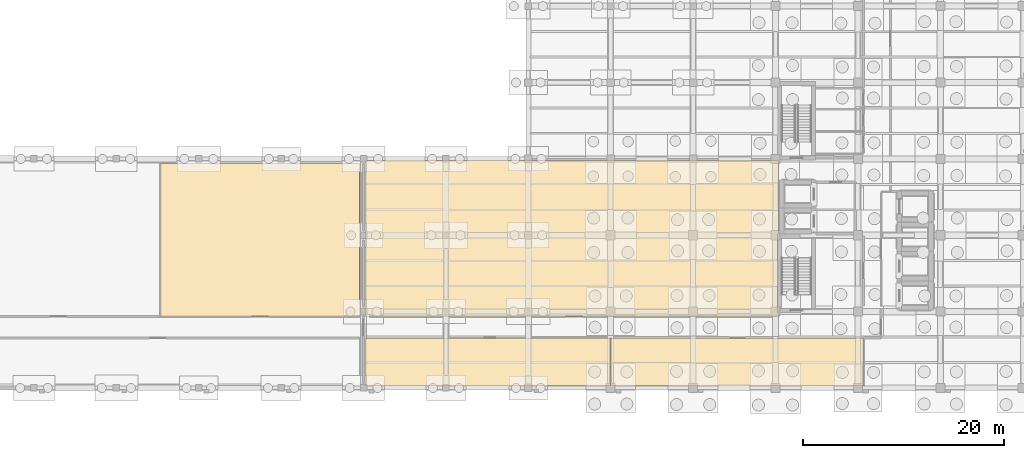
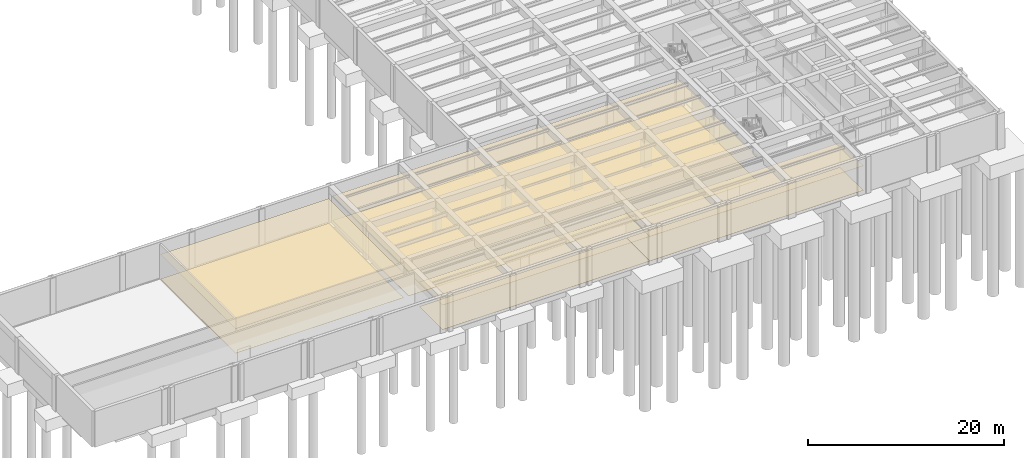
# One storey, part 25 of 29: 8 coverings.
"""IFC4 building model written with IfcOpenShell, lengths in metres."""

from ifc_helpers import new_model, si_unit, direction, frame, origin, place, context, subcontext, project, spatial, polyline, outline, extrude, material, layer, layer_set, type_object, element, save


model = new_model("IFC4")

# Units and contexts
model_context = context("Model", 3, precision=1e-05, world=origin(), true_north=direction((0.0, 1.0)))
body_context = subcontext(model_context, "Body", "Model", "MODEL_VIEW")
ifc_project = project(units=[si_unit("LENGTHUNIT", "METRE"), si_unit("AREAUNIT", "SQUARE_METRE"), si_unit("VOLUMEUNIT", "CUBIC_METRE"), si_unit("PLANEANGLEUNIT", "RADIAN"), si_unit("MASSUNIT", "GRAM", prefix="KILO")], contexts=[model_context])

# Site, building, storey
site_placement = place(None, origin())
site = spatial("IfcSite", under=ifc_project, at=site_placement, CompositionType="ELEMENT")
building_placement = place(site_placement, origin())
building = spatial("IfcBuilding", under=site, at=building_placement, Name="Qandaris Square Conservatory and Botanical Centre", CompositionType="ELEMENT")
storey_placement = place(building_placement, frame((0.0, 0.0, -4.800048828125)))
storey = spatial("IfcBuildingStorey", under=building, at=storey_placement, Name="B1", CompositionType="ELEMENT", Elevation=-4.800048828125)

# Coverings
ifc_material_1 = material(Name="Gypsum Plasterboard", Category="gypsum")
ifc_layer_1 = layer(ifc_material_1, 0.02490234375)
ifc_layer_set_1 = layer_set([ifc_layer_1], Name="Gypsum Plasterboard")
covering_type_1 = type_object("IfcCoveringType", Name="Perforated Acoustic Lab Ceiling Tile", PredefinedType="CEILING", material=ifc_layer_set_1)
covering_1_placement = place(storey_placement, frame((0.0, 0.0, 3.050048828125)))
element("IfcCovering", 1, at=covering_1_placement, inside=storey, type_object=covering_type_1, Name="Germplasm Cryopreservation Vault West Ceiling", PredefinedType="CEILING", context=body_context, shape_type="SweptSolid", body=[
    extrude(outline(polyline([(122.800048828125, 21.550048828125), (122.800048828125, 16.780029296875), (98.3798828125, 16.780029296875), (98.3798828125, 21.550048828125), (98.60009765625, 21.550048828125), (98.800048828125, 21.550048828125), (122.800048828125, 21.550048828125)])), origin(), (0.0, 0.0, 1.0), 0.02490234375),
])
covering_2_placement = place(storey_placement, frame((0.0, 0.0, 3.050048828125)))
element("IfcCovering", 2, at=covering_2_placement, inside=storey, type_object=covering_type_1, Name="Germplasm Cryopreservation Vault East Ceiling", PredefinedType="CEILING", context=body_context, shape_type="SweptSolid", body=[
    extrude(outline(polyline([(122.800048828125, 16.780029296875), (122.800048828125, 21.550048828125), (147.949951171875, 21.550048828125), (147.949951171875, 16.780029296875), (122.800048828125, 16.780029296875)])), origin(), (0.0, 0.0, 1.0), 0.02490234375),
])
covering_3_placement = place(storey_placement, frame((0.0, 0.0, 3.050048828125)))
element("IfcCovering", 3, at=covering_3_placement, inside=storey, type_object=covering_type_1, Name="Botanical Specimen Quarantine Vault Ceiling", PredefinedType="CEILING", context=body_context, shape_type="SweptSolid", body=[
    extrude(outline(polyline([(98.3798828125, 23.699951171875), (98.3798828125, 39.219970703125), (114.60009765625, 39.219970703125), (114.61767578125, 39.220947265625), (114.635009765625, 39.223388671875), (114.65234375, 39.227783203125), (114.6689453125, 39.233642578125), (114.684814453125, 39.2412109375), (114.699462890625, 39.25), (139.5, 39.25), (139.5, 31.89990234375), (139.39990234375, 31.89990234375), (139.39990234375, 24.10009765625), (139.5, 24.10009765625), (139.5, 23.699951171875), (98.800048828125, 23.699951171875), (98.60009765625, 23.699951171875), (98.3798828125, 23.699951171875)])), origin(), (0.0, 0.0, 1.0), 0.02490234375),
])
covering_4_placement = place(storey_placement, frame((0.0, 0.0, 3.050048828125)))
element("IfcCovering", 4, at=covering_4_placement, inside=storey, type_object=covering_type_1, Name="Acoustic Plenum and Dimmer Rack Room Ceiling", PredefinedType="CEILING", context=body_context, shape_type="SweptSolid", body=[
    extrude(outline(polyline([(78.0, 39.0), (97.800048828125, 39.0), (97.800048828125, 23.699951171875), (78.0, 23.699951171875), (78.0, 39.0)])), origin(), (0.0, 0.0, 1.0), 0.02490234375),
])
ifc_material_2 = material(Name="Epoxy Resin Screed", Category="finish")
ifc_layer_2 = layer(ifc_material_2, 0.014892578125)
ifc_layer_set_2 = layer_set([ifc_layer_2], Name="Epoxy Resin Screed")
covering_type_2 = type_object("IfcCoveringType", Name="Seamless Epoxy Laboratory Flooring", PredefinedType="FLOORING", material=ifc_layer_set_2)
covering_5_placement = place(storey_placement, origin())
element("IfcCovering", 5, at=covering_5_placement, inside=storey, type_object=covering_type_2, Name="Germplasm Cryopreservation Vault West Flooring", PredefinedType="FLOORING", context=body_context, shape_type="SweptSolid", body=[
    extrude(outline(polyline([(122.800048828125, 21.550048828125), (122.800048828125, 16.780029296875), (98.3798828125, 16.780029296875), (98.3798828125, 21.550048828125), (98.60009765625, 21.550048828125), (98.800048828125, 21.550048828125), (122.800048828125, 21.550048828125)])), origin(), (0.0, 0.0, 1.0), 0.01513671875),
])
covering_6_placement = place(storey_placement, origin())
element("IfcCovering", 6, at=covering_6_placement, inside=storey, type_object=covering_type_2, Name="Germplasm Cryopreservation Vault East Flooring", PredefinedType="FLOORING", context=body_context, shape_type="SweptSolid", body=[
    extrude(outline(polyline([(122.800048828125, 16.780029296875), (122.800048828125, 21.550048828125), (147.949951171875, 21.550048828125), (147.949951171875, 16.780029296875), (122.800048828125, 16.780029296875)])), origin(), (0.0, 0.0, 1.0), 0.01513671875),
])
covering_7_placement = place(storey_placement, origin())
element("IfcCovering", 7, at=covering_7_placement, inside=storey, type_object=covering_type_2, Name="Botanical Specimen Quarantine Vault Flooring", PredefinedType="FLOORING", context=body_context, shape_type="SweptSolid", body=[
    extrude(outline(polyline([(98.3798828125, 23.699951171875), (98.3798828125, 39.219970703125), (114.60009765625, 39.219970703125), (114.61767578125, 39.220947265625), (114.635009765625, 39.223388671875), (114.65234375, 39.227783203125), (114.6689453125, 39.233642578125), (114.684814453125, 39.2412109375), (114.699462890625, 39.25), (139.5, 39.25), (139.5, 31.89990234375), (139.39990234375, 31.89990234375), (139.39990234375, 24.10009765625), (139.5, 24.10009765625), (139.5, 23.699951171875), (98.800048828125, 23.699951171875), (98.60009765625, 23.699951171875), (98.3798828125, 23.699951171875)])), origin(), (0.0, 0.0, 1.0), 0.01513671875),
])
covering_8_placement = place(storey_placement, origin())
element("IfcCovering", 8, at=covering_8_placement, inside=storey, type_object=covering_type_2, Name="Acoustic Plenum and Dimmer Rack Room Flooring", PredefinedType="FLOORING", context=body_context, shape_type="SweptSolid", body=[
    extrude(outline(polyline([(78.0, 39.0), (97.800048828125, 39.0), (97.800048828125, 23.699951171875), (78.0, 23.699951171875), (78.0, 39.0)])), origin(), (0.0, 0.0, 1.0), 0.01513671875),
])

save(model, "model.ifc")
